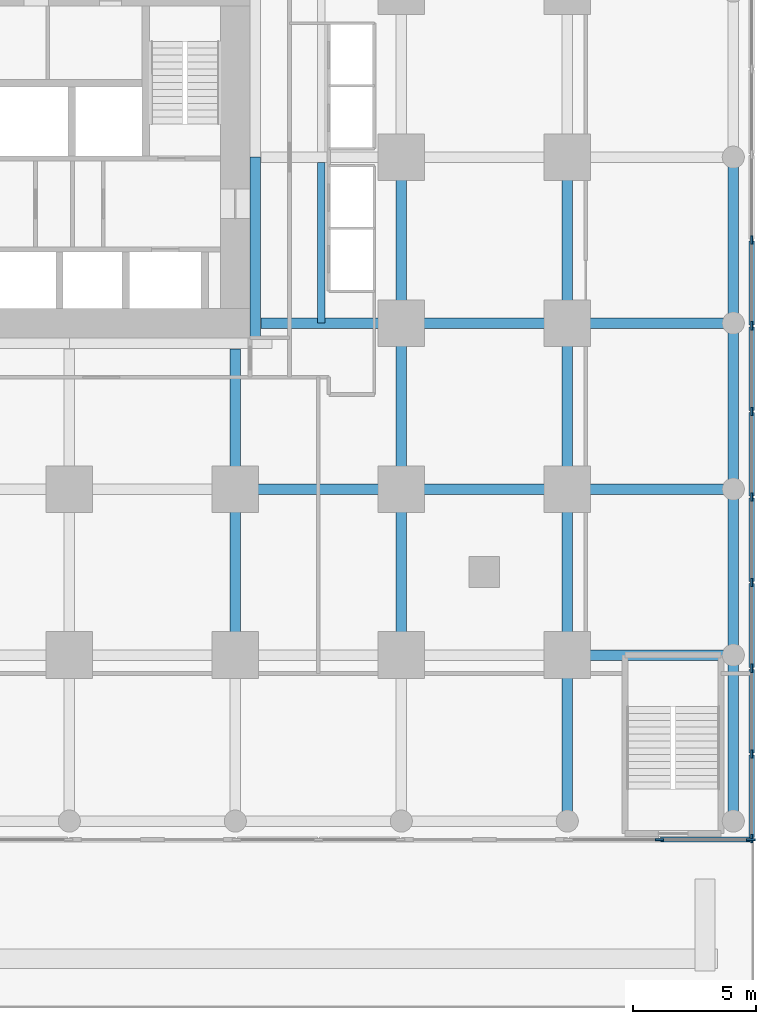
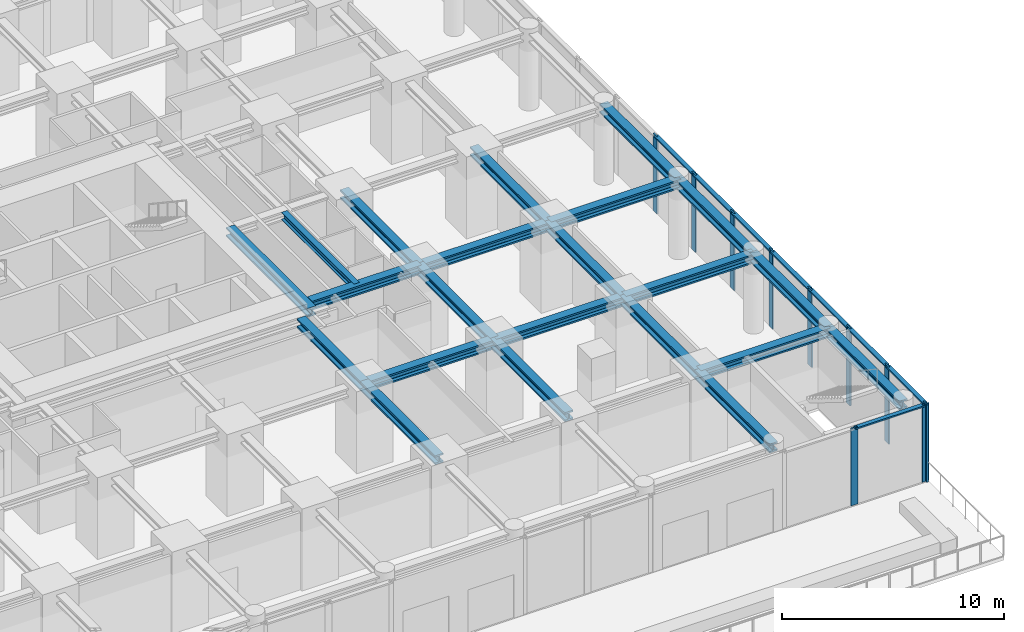
# One storey, part 3 of 10: 22 beams, 18 members, 2 elements without a shape of their own.
"""IFC4 building model written with IfcOpenShell, lengths in metres."""

from ifc_helpers import new_model, si_unit, direction, frame, origin, origin_2d, place, context, subcontext, project, spatial, rectangle, i_section, extrude, material, material_profile, profile_set, type_object, element, aggregate, save


model = new_model("IFC4")

# Units and contexts
model_context = context("Model", 3, precision=1e-05, world=origin(), true_north=direction((0.0, 1.0)))
body_context = subcontext(model_context, "Body", "Model", "MODEL_VIEW")
ifc_project = project(units=[si_unit("LENGTHUNIT", "METRE"), si_unit("AREAUNIT", "SQUARE_METRE"), si_unit("VOLUMEUNIT", "CUBIC_METRE"), si_unit("PLANEANGLEUNIT", "RADIAN"), si_unit("MASSUNIT", "GRAM", prefix="KILO")], contexts=[model_context])

# Site, building, storey
site_placement = place(None, origin())
site = spatial("IfcSite", under=ifc_project, at=site_placement, CompositionType="ELEMENT")
building_placement = place(site_placement, origin())
building = spatial("IfcBuilding", under=site, at=building_placement, Name="Nyansa Garden Tower", CompositionType="ELEMENT")
storey_placement = place(building_placement, frame((0.0, 0.0, 9.0)))
storey = spatial("IfcBuildingStorey", under=building, at=storey_placement, Name="L02", CompositionType="ELEMENT", Elevation=9.0)

# Curtain wall, members
ifc_material_1 = material(Name="Black anodised aluminium, clear double glazing", Category="aluminium")
curtain_wall_type = type_object("IfcCurtainWallType", Name="Podium curtain wall PCW", PredefinedType="USERDEFINED", material=ifc_material_1)
curtain_wall_1_placement = place(storey_placement, origin())
curtain_wall_1 = element("IfcCurtainWall", 1, at=curtain_wall_1_placement, inside=storey, type_object=curtain_wall_type, Name="Podium curtain wall L02 E", ObjectType="STICK CURTAIN WALL", PredefinedType="USERDEFINED")
ifc_material_2 = material(Name="Black anodised aluminium", Category="aluminium")
ifc_material_profile_1 = material_profile(ifc_material_2, rectangle(XDim=0.080078125, YDim=0.35009765625, at=origin_2d()), Name="Mullion 350x80")
ifc_profile_set_1 = profile_set([ifc_material_profile_1], Name="Black anodised aluminium")
member_type_1 = type_object("IfcMemberType", Name="Mullion PCW 350x80", PredefinedType="MULLION", material=ifc_profile_set_1)
member_1_placement = place(storey_placement, frame((48.0, -7.4599609375, 0.0), z_axis=(0.0, 0.0, 1.0), x_axis=(-1.0, 0.0, 0.0)))
member_1 = element("IfcMember", 2, at=member_1_placement, type_object=member_type_1, Name="PCW mullion 1", PredefinedType="MULLION", context=body_context, shape_type="SweptSolid", body=[
    extrude(rectangle(XDim=0.080078125, YDim=0.35009765625, at=origin_2d()), origin(), (0.0, 0.0, 1.0), 4.25),
])
member_2_placement = place(storey_placement, frame((48.0, -4.017822265625, 0.0), z_axis=(0.0, 0.0, 1.0), x_axis=(-1.0, 0.0, 0.0)))
member_2 = element("IfcMember", 3, at=member_2_placement, type_object=member_type_1, Name="PCW mullion 2", PredefinedType="MULLION", context=body_context, shape_type="SweptSolid", body=[
    extrude(rectangle(XDim=0.080078125, YDim=0.35009765625, at=origin_2d()), origin(), (0.0, 0.0, 1.0), 4.25),
])
member_3_placement = place(storey_placement, frame((48.0, -0.53564453125, 0.0), z_axis=(0.0, 0.0, 1.0), x_axis=(-1.0, 0.0, 0.0)))
member_3 = element("IfcMember", 4, at=member_3_placement, type_object=member_type_1, Name="PCW mullion 3", PredefinedType="MULLION", context=body_context, shape_type="SweptSolid", body=[
    extrude(rectangle(XDim=0.080078125, YDim=0.35009765625, at=origin_2d()), origin(), (0.0, 0.0, 1.0), 4.25),
])
member_4_placement = place(storey_placement, frame((48.0, 2.946533203125, 0.0), z_axis=(0.0, 0.0, 1.0), x_axis=(-1.0, 0.0, 0.0)))
member_4 = element("IfcMember", 5, at=member_4_placement, type_object=member_type_1, Name="PCW mullion 4", PredefinedType="MULLION", context=body_context, shape_type="SweptSolid", body=[
    extrude(rectangle(XDim=0.080078125, YDim=0.35009765625, at=origin_2d()), origin(), (0.0, 0.0, 1.0), 4.25),
])
member_5_placement = place(storey_placement, frame((48.0, 6.428466796875, 0.0), z_axis=(0.0, 0.0, 1.0), x_axis=(-1.0, 0.0, 0.0)))
member_5 = element("IfcMember", 6, at=member_5_placement, type_object=member_type_1, Name="PCW mullion 5", PredefinedType="MULLION", context=body_context, shape_type="SweptSolid", body=[
    extrude(rectangle(XDim=0.080078125, YDim=0.35009765625, at=origin_2d()), origin(), (0.0, 0.0, 1.0), 4.25),
])
member_6_placement = place(storey_placement, frame((48.0, 9.91064453125, 0.0), z_axis=(0.0, 0.0, 1.0), x_axis=(-1.0, 0.0, 0.0)))
member_6 = element("IfcMember", 7, at=member_6_placement, type_object=member_type_1, Name="PCW mullion 6", PredefinedType="MULLION", context=body_context, shape_type="SweptSolid", body=[
    extrude(rectangle(XDim=0.080078125, YDim=0.35009765625, at=origin_2d()), origin(), (0.0, 0.0, 1.0), 4.25),
])
member_7_placement = place(storey_placement, frame((48.0, 13.392822265625, 0.0), z_axis=(0.0, 0.0, 1.0), x_axis=(-1.0, 0.0, 0.0)))
member_7 = element("IfcMember", 8, at=member_7_placement, type_object=member_type_1, Name="PCW mullion 7", PredefinedType="MULLION", context=body_context, shape_type="SweptSolid", body=[
    extrude(rectangle(XDim=0.080078125, YDim=0.35009765625, at=origin_2d()), origin(), (0.0, 0.0, 1.0), 4.25),
])
member_8_placement = place(storey_placement, frame((48.0, 16.875, 0.0), z_axis=(0.0, 0.0, 1.0), x_axis=(-1.0, 0.0, 0.0)))
member_8 = element("IfcMember", 9, at=member_8_placement, type_object=member_type_1, Name="PCW mullion 8", PredefinedType="MULLION", context=body_context, shape_type="SweptSolid", body=[
    extrude(rectangle(XDim=0.080078125, YDim=0.35009765625, at=origin_2d()), origin(), (0.0, 0.0, 1.0), 4.25),
])

curtain_wall_2_placement = place(storey_placement, origin())
curtain_wall_2 = element("IfcCurtainWall", 10, at=curtain_wall_2_placement, inside=storey, type_object=curtain_wall_type, Name="Podium curtain wall L02 S", ObjectType="STICK CURTAIN WALL", PredefinedType="USERDEFINED")
member_9_placement = place(storey_placement, frame((44.25, -7.5, 0.0), z_axis=(0.0, 0.0, 1.0), x_axis=(0.0, 1.0, 0.0)))
member_9 = element("IfcMember", 11, at=member_9_placement, type_object=member_type_1, Name="PCW mullion 2", PredefinedType="MULLION", context=body_context, shape_type="SweptSolid", body=[
    extrude(rectangle(XDim=0.080078125, YDim=0.35009765625, at=origin_2d()), origin(), (0.0, 0.0, 1.0), 4.25),
])
member_10_placement = place(storey_placement, frame((47.9599609375, -7.5, 0.0), z_axis=(0.0, 0.0, 1.0), x_axis=(0.0, 1.0, 0.0)))
member_10 = element("IfcMember", 12, at=member_10_placement, type_object=member_type_1, Name="PCW mullion 3", PredefinedType="MULLION", context=body_context, shape_type="SweptSolid", body=[
    extrude(rectangle(XDim=0.080078125, YDim=0.35009765625, at=origin_2d()), origin(), (0.0, 0.0, 1.0), 4.25),
])

# Beams
ifc_material_3 = material(Name="Steel S355", Category="steel")
ifc_material_profile_2 = material_profile(ifc_material_3, i_section(OverallWidth=0.431884765625, OverallDepth=0.498046875, WebThickness=0.0556640625, FlangeThickness=0.0888671875, FilletRadius=0.014892578125, at=origin_2d()), Name="HD 400x744")
ifc_profile_set_2 = profile_set([ifc_material_profile_2], Name="Steel S355")
beam_type_1 = type_object("IfcBeamType", Name="Steel beam SBP1-744 HD 400x744", PredefinedType="BEAM", material=ifc_profile_set_2)
beam_1_placement = place(storey_placement, frame((27.0, 0.0, 4.0009765625), z_axis=(0.0, 1.0, 0.0), x_axis=(-1.0, 0.0, 0.0)))
element("IfcBeam", 13, at=beam_1_placement, inside=storey, type_object=beam_type_1, Name="Steel beam 6/D-6/E L03", PredefinedType="BEAM", context=body_context, shape_type="SweptSolid", body=[
    extrude(i_section(OverallWidth=0.431884765625, OverallDepth=0.498046875, WebThickness=0.0556640625, FlangeThickness=0.0888671875, FilletRadius=0.014892578125, at=origin_2d()), origin(), (0.0, 0.0, 1.0), 6.75),
])
beam_2_placement = place(storey_placement, frame((27.0, 6.75, 4.0009765625), z_axis=(0.0, 1.0, 0.0), x_axis=(-1.0, 0.0, 0.0)))
element("IfcBeam", 14, at=beam_2_placement, inside=storey, type_object=beam_type_1, Name="Steel beam 6/E-6/12.450 L03", PredefinedType="BEAM", context=body_context, shape_type="SweptSolid", body=[
    extrude(i_section(OverallWidth=0.431884765625, OverallDepth=0.498046875, WebThickness=0.0556640625, FlangeThickness=0.0888671875, FilletRadius=0.014892578125, at=origin_2d()), origin(), (0.0, 0.0, 1.0), 5.699951171875),
])
beam_3_placement = place(storey_placement, frame((27.0, 6.75, 4.0009765625), z_axis=(1.0, 0.0, 0.0), x_axis=(0.0, 1.0, 0.0)))
element("IfcBeam", 15, at=beam_3_placement, inside=storey, type_object=beam_type_1, Name="Steel beam 6/E-7/E L03", PredefinedType="BEAM", context=body_context, shape_type="SweptSolid", body=[
    extrude(i_section(OverallWidth=0.431884765625, OverallDepth=0.498046875, WebThickness=0.0556640625, FlangeThickness=0.0888671875, FilletRadius=0.014892578125, at=origin_2d()), origin(), (0.0, 0.0, 1.0), 6.75),
])
beam_4_placement = place(storey_placement, frame((28.050048828125, 13.5, 4.0009765625), z_axis=(1.0, 0.0, 0.0), x_axis=(0.0, 1.0, 0.0)))
element("IfcBeam", 16, at=beam_4_placement, inside=storey, type_object=beam_type_1, Name="Steel beam 28.050/F-7/F L03", PredefinedType="BEAM", context=body_context, shape_type="SweptSolid", body=[
    extrude(i_section(OverallWidth=0.431884765625, OverallDepth=0.498046875, WebThickness=0.0556640625, FlangeThickness=0.0888671875, FilletRadius=0.014892578125, at=origin_2d()), origin(), (0.0, 0.0, 1.0), 5.699951171875),
])
for number, where, z_axis, x_axis, name in (
    (17, (33.75, 0.0, 4.0009765625), (0.0, 1.0, 0.0), (-1.0, 0.0, 0.0), "Steel beam 7/D-7/E L03"),
    (18, (33.75, 6.75, 4.0009765625), (0.0, 1.0, 0.0), (-1.0, 0.0, 0.0), "Steel beam 7/E-7/F L03"),
    (19, (33.75, 6.75, 4.0009765625), (1.0, 0.0, 0.0), (0.0, 1.0, 0.0), "Steel beam 7/E-8/E L03"),
    (20, (33.75, 13.5, 4.0009765625), (0.0, 1.0, 0.0), (-1.0, 0.0, 0.0), "Steel beam 7/F-7/G L03"),
    (21, (33.75, 13.5, 4.0009765625), (1.0, 0.0, 0.0), (0.0, 1.0, 0.0), "Steel beam 7/F-8/F L03"),
    (22, (40.5, -6.75, 4.0009765625), (0.0, 1.0, 0.0), (-1.0, 0.0, 0.0), "Steel beam 8/C-8/D L03"),
    (23, (40.5, 0.0, 4.0009765625), (0.0, 1.0, 0.0), (-1.0, 0.0, 0.0), "Steel beam 8/D-8/E L03"),
    (24, (40.5, 0.0, 4.0009765625), (1.0, 0.0, 0.0), (0.0, 1.0, 0.0), "Steel beam 8/D-9/D L03"),
    (25, (40.5, 6.75, 4.0009765625), (0.0, 1.0, 0.0), (-1.0, 0.0, 0.0), "Steel beam 8/E-8/F L03"),
    (26, (40.5, 6.75, 4.0009765625), (1.0, 0.0, 0.0), (0.0, 1.0, 0.0), "Steel beam 8/E-9/E L03"),
    (27, (40.5, 13.5, 4.0009765625), (0.0, 1.0, 0.0), (-1.0, 0.0, 0.0), "Steel beam 8/F-8/G L03"),
    (28, (40.5, 13.5, 4.0009765625), (1.0, 0.0, 0.0), (0.0, 1.0, 0.0), "Steel beam 8/F-9/F L03"),
):
    element("IfcBeam", number, at=place(storey_placement, frame(where, z_axis=z_axis, x_axis=x_axis)), inside=storey, type_object=beam_type_1, Name=name, PredefinedType="BEAM", context=body_context, shape_type="SweptSolid", body=[
        extrude(i_section(OverallWidth=0.431884765625, OverallDepth=0.498046875, WebThickness=0.0556640625, FlangeThickness=0.0888671875, FilletRadius=0.014892578125, at=origin_2d()), origin(), (0.0, 0.0, 1.0), 6.75),
    ])
ifc_material_4 = material(Name="Steel S355", Category="steel")
ifc_material_profile_3 = material_profile(ifc_material_4, i_section(OverallWidth=0.431884765625, OverallDepth=0.498046875, WebThickness=0.0556640625, FlangeThickness=0.0888671875, FilletRadius=0.014892578125, at=origin_2d()), Name="HD 400x744")
ifc_profile_set_3 = profile_set([ifc_material_profile_3], Name="Steel S355")
beam_type_2 = type_object("IfcBeamType", Name="Steel beam SEBP-744 HD 400x744", PredefinedType="BEAM", material=ifc_profile_set_3)
for number, where, z_axis, x_axis, name in (
    (29, (47.25, -6.75, 4.0009765625), (0.0, 1.0, 0.0), (-1.0, 0.0, 0.0), "Steel edge beam 9/C-9/D L03"),
    (30, (47.25, 0.0, 4.0009765625), (0.0, 1.0, 0.0), (-1.0, 0.0, 0.0), "Steel edge beam 9/D-9/E L03"),
    (31, (47.25, 6.75, 4.0009765625), (0.0, 1.0, 0.0), (-1.0, 0.0, 0.0), "Steel edge beam 9/E-9/F L03"),
    (32, (47.25, 13.5, 4.0009765625), (0.0, 1.0, 0.0), (-1.0, 0.0, 0.0), "Steel edge beam 9/F-9/G L03"),
):
    element("IfcBeam", number, at=place(storey_placement, frame(where, z_axis=z_axis, x_axis=x_axis)), inside=storey, type_object=beam_type_2, Name=name, PredefinedType="BEAM", context=body_context, shape_type="SweptSolid", body=[
        extrude(i_section(OverallWidth=0.431884765625, OverallDepth=0.498046875, WebThickness=0.0556640625, FlangeThickness=0.0888671875, FilletRadius=0.014892578125, at=origin_2d()), origin(), (0.0, 0.0, 1.0), 6.75),
    ])
ifc_material_5 = material(Name="Steel S355", Category="steel")
ifc_material_profile_4 = material_profile(ifc_material_5, i_section(OverallWidth=0.431884765625, OverallDepth=0.498046875, WebThickness=0.0556640625, FlangeThickness=0.0888671875, FilletRadius=0.014892578125, at=origin_2d()), Name="HD 400x744")
ifc_profile_set_4 = profile_set([ifc_material_profile_4], Name="Steel S355")
beam_type_3 = type_object("IfcBeamType", Name="Steel beam SLB1-744 HD 400x744", PredefinedType="BEAM", material=ifc_profile_set_4)
beam_5_placement = place(storey_placement, frame((27.81591796875, 12.89990234375, 4.0009765625), z_axis=(0.0, 1.0, 0.0), x_axis=(-1.0, 0.0, 0.0)))
element("IfcBeam", 33, at=beam_5_placement, inside=storey, type_object=beam_type_3, Name="Steel core ledger beam E.1 L03", PredefinedType="BEAM", context=body_context, shape_type="SweptSolid", body=[
    extrude(i_section(OverallWidth=0.431884765625, OverallDepth=0.498046875, WebThickness=0.0556640625, FlangeThickness=0.0888671875, FilletRadius=0.014892578125, at=origin_2d()), origin(), (0.0, 0.0, 1.0), 7.35009765625),
])

# Member
ifc_material_6 = material(Name="Black anodised aluminium", Category="aluminium")
ifc_material_profile_5 = material_profile(ifc_material_6, rectangle(XDim=0.219970703125, YDim=0.080078125, at=origin_2d()), Name="Transom 220x80")
ifc_profile_set_5 = profile_set([ifc_material_profile_5], Name="Black anodised aluminium")
member_type_2 = type_object("IfcMemberType", Name="Transom PCW 220x80", PredefinedType="USERDEFINED", material=ifc_profile_set_5)
member_11_placement = place(storey_placement, frame((48.0, -7.419921875, 4.2099609375), z_axis=(0.0, 1.0, 0.0), x_axis=(-1.0, 0.0, 0.0)))
member_11 = element("IfcMember", 34, at=member_11_placement, type_object=member_type_2, Name="PCW transom 1", ObjectType="TRANSOM", PredefinedType="USERDEFINED", context=body_context, shape_type="SweptSolid", body=[
    extrude(rectangle(XDim=0.219970703125, YDim=0.080078125, at=origin_2d()), origin(), (0.0, 0.0, 1.0), 3.362060546875),
])

member_12_placement = place(storey_placement, frame((48.0, -3.977783203125, 4.2099609375), z_axis=(0.0, 1.0, 0.0), x_axis=(-1.0, 0.0, 0.0)))
member_12 = element("IfcMember", 35, at=member_12_placement, type_object=member_type_2, Name="PCW transom 2", ObjectType="TRANSOM", PredefinedType="USERDEFINED", context=body_context, shape_type="SweptSolid", body=[
    extrude(rectangle(XDim=0.219970703125, YDim=0.080078125, at=origin_2d()), origin(), (0.0, 0.0, 1.0), 3.402099609375),
])

member_13_placement = place(storey_placement, frame((48.0, -0.49560546875, 4.2099609375), z_axis=(0.0, 1.0, 0.0), x_axis=(-1.0, 0.0, 0.0)))
member_13 = element("IfcMember", 36, at=member_13_placement, type_object=member_type_2, Name="PCW transom 3", ObjectType="TRANSOM", PredefinedType="USERDEFINED", context=body_context, shape_type="SweptSolid", body=[
    extrude(rectangle(XDim=0.219970703125, YDim=0.080078125, at=origin_2d()), origin(), (0.0, 0.0, 1.0), 3.402099609375),
])

member_14_placement = place(storey_placement, frame((48.0, 2.986328125, 4.2099609375), z_axis=(0.0, 1.0, 0.0), x_axis=(-1.0, 0.0, 0.0)))
member_14 = element("IfcMember", 37, at=member_14_placement, type_object=member_type_2, Name="PCW transom 4", ObjectType="TRANSOM", PredefinedType="USERDEFINED", context=body_context, shape_type="SweptSolid", body=[
    extrude(rectangle(XDim=0.219970703125, YDim=0.080078125, at=origin_2d()), origin(), (0.0, 0.0, 1.0), 3.40234375),
])

member_15_placement = place(storey_placement, frame((48.0, 6.468505859375, 4.2099609375), z_axis=(0.0, 1.0, 0.0), x_axis=(-1.0, 0.0, 0.0)))
member_15 = element("IfcMember", 38, at=member_15_placement, type_object=member_type_2, Name="PCW transom 5", ObjectType="TRANSOM", PredefinedType="USERDEFINED", context=body_context, shape_type="SweptSolid", body=[
    extrude(rectangle(XDim=0.219970703125, YDim=0.080078125, at=origin_2d()), origin(), (0.0, 0.0, 1.0), 3.402099609375),
])

member_16_placement = place(storey_placement, frame((48.0, 9.95068359375, 4.2099609375), z_axis=(0.0, 1.0, 0.0), x_axis=(-1.0, 0.0, 0.0)))
member_16 = element("IfcMember", 39, at=member_16_placement, type_object=member_type_2, Name="PCW transom 6", ObjectType="TRANSOM", PredefinedType="USERDEFINED", context=body_context, shape_type="SweptSolid", body=[
    extrude(rectangle(XDim=0.219970703125, YDim=0.080078125, at=origin_2d()), origin(), (0.0, 0.0, 1.0), 3.402099609375),
])

member_17_placement = place(storey_placement, frame((48.0, 13.432861328125, 4.2099609375), z_axis=(0.0, 1.0, 0.0), x_axis=(-1.0, 0.0, 0.0)))
member_17 = element("IfcMember", 40, at=member_17_placement, type_object=member_type_2, Name="PCW transom 7", ObjectType="TRANSOM", PredefinedType="USERDEFINED", context=body_context, shape_type="SweptSolid", body=[
    extrude(rectangle(XDim=0.219970703125, YDim=0.080078125, at=origin_2d()), origin(), (0.0, 0.0, 1.0), 3.402099609375),
])

aggregate(curtain_wall_1, [member_1, member_2, member_3, member_4, member_5, member_6, member_7, member_8, member_11, member_12, member_13, member_14, member_15, member_16, member_17])

member_18_placement = place(storey_placement, frame((44.2900390625, -7.5, 4.2099609375), z_axis=(1.0, 0.0, 0.0), x_axis=(0.0, 1.0, 0.0)))
member_18 = element("IfcMember", 41, at=member_18_placement, type_object=member_type_2, Name="PCW transom 2", ObjectType="TRANSOM", PredefinedType="USERDEFINED", context=body_context, shape_type="SweptSolid", body=[
    extrude(rectangle(XDim=0.219970703125, YDim=0.080078125, at=origin_2d()), origin(), (0.0, 0.0, 1.0), 3.6298828125),
])

aggregate(curtain_wall_2, [member_9, member_10, member_18])

# Beam
ifc_material_7 = material(Name="Steel S355", Category="steel")
ifc_material_profile_6 = material_profile(ifc_material_7, i_section(OverallWidth=0.300048828125, OverallDepth=0.39990234375, WebThickness=0.013427734375, FlangeThickness=0.02392578125, FilletRadius=0.027099609375, at=origin_2d()), Name="HE 400 B")
ifc_profile_set_6 = profile_set([ifc_material_profile_6], Name="Steel S355")
beam_type_4 = type_object("IfcBeamType", Name="Trimmer beam TR1 HE 400 B", PredefinedType="BEAM", material=ifc_profile_set_6)
beam_6_placement = place(storey_placement, frame((30.5, 13.5, 4.050048828125), z_axis=(0.0, 1.0, 0.0), x_axis=(-1.0, 0.0, 0.0)))
element("IfcBeam", 42, at=beam_6_placement, inside=storey, type_object=beam_type_4, Name="Trimmer beam 1 L03", PredefinedType="BEAM", context=body_context, shape_type="SweptSolid", body=[
    extrude(i_section(OverallWidth=0.300048828125, OverallDepth=0.39990234375, WebThickness=0.013427734375, FlangeThickness=0.02392578125, FilletRadius=0.027099609375, at=origin_2d()), origin(), (0.0, 0.0, 1.0), 6.533935546875),
])

save(model, "model.ifc")
